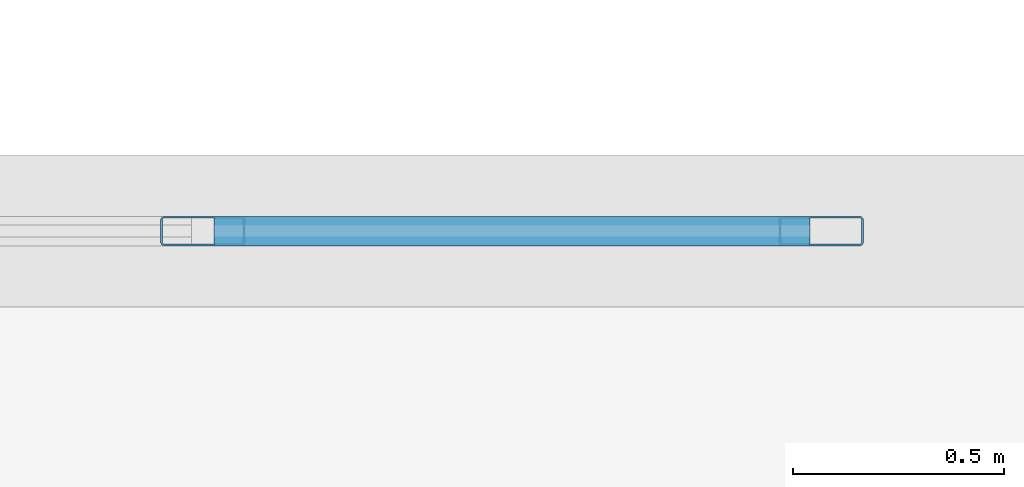
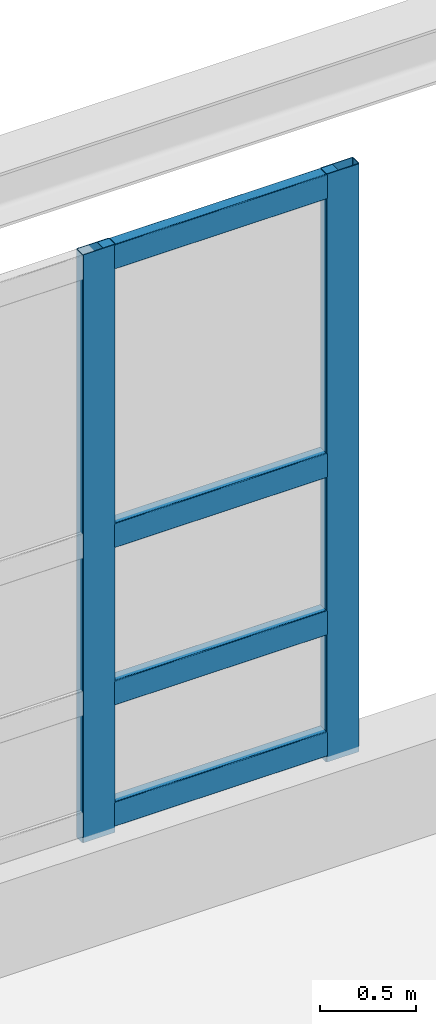
# One storey, part 85 of 197: 6 members, 1 element without a shape of its own.
"""IFC4 building model written with IfcOpenShell, lengths in metres."""

from ifc_helpers import new_model, si_unit, derived_unit, direction, frame, origin, origin_2d, place, context, subcontext, project, spatial, hollow_rectangle, extrude, material, layer, layer_set, material_profile, profile_set, type_object, element, aggregate, save


model = new_model("IFC4")

# Units and contexts
model_context = context("Model", 3, precision=1e-05, world=origin(), true_north=direction((0.0, 1.0)))
body_context = subcontext(model_context, "Body", "Model", "MODEL_VIEW")
ifc_project = project(units=[si_unit("LENGTHUNIT", "METRE"), si_unit("AREAUNIT", "SQUARE_METRE"), si_unit("VOLUMEUNIT", "CUBIC_METRE"), si_unit("PLANEANGLEUNIT", "RADIAN"), si_unit("MASSUNIT", "GRAM", prefix="KILO"), derived_unit("THERMALTRANSMITTANCEUNIT", [(si_unit("POWERUNIT", "WATT"), 1), (si_unit("LENGTHUNIT", "METRE"), -2), (si_unit("THERMODYNAMICTEMPERATUREUNIT", "KELVIN"), -1)])], contexts=[model_context])

# Site, building, storey
site_placement = place(None, origin())
site = spatial("IfcSite", under=ifc_project, at=site_placement, CompositionType="ELEMENT")
building_placement = place(site_placement, origin())
building = spatial("IfcBuilding", under=site, at=building_placement, Name="Almenara Railside Exhibition Hall", CompositionType="ELEMENT")
storey_placement = place(building_placement, frame((0.0, 0.0, 5.39990234375)))
storey = spatial("IfcBuildingStorey", under=building, at=storey_placement, Name="L01", CompositionType="ELEMENT", Elevation=5.39990234375)

# Curtain wall, members
ifc_material_1 = material(Name="Bronze-anodised aluminium and low-E double glazing", Category="aluminium")
ifc_layer = layer(ifc_material_1, 0.179931640625, Name="Bronze-anodised aluminium and low-E double glazing")
ifc_layer_set = layer_set([ifc_layer], Name="Bronze-anodised aluminium and low-E double glazing")
curtain_wall_type = type_object("IfcCurtainWallType", Name="Courtyard North Galeria Curtain Wall 3000x3700", PredefinedType="NOTDEFINED", material=ifc_layer_set)
curtain_wall_placement = place(storey_placement, origin())
curtain_wall = element("IfcCurtainWall", 1, at=curtain_wall_placement, inside=storey, type_object=curtain_wall_type, Name="Curtain wall CW-CY1-131", PredefinedType="NOTDEFINED")
ifc_material_2 = material(Name="Bronze-anodised aluminium", Category="aluminium")
ifc_material_profile_1 = material_profile(ifc_material_2, hollow_rectangle(XDim=0.070068359375, YDim=0.199951171875, WallThickness=0.00439453125, InnerFilletRadius=0.00439453125, OuterFilletRadius=0.009033203125, at=origin_2d()), Name="ALU-MUL 70x200x4.5")
ifc_profile_set_1 = profile_set([ifc_material_profile_1], Name="Bronze-anodised aluminium")
member_type_1 = type_object("IfcMemberType", Name="Curtain Wall Mullion 70x200x4.5", PredefinedType="MULLION", material=ifc_profile_set_1)
member_1_placement = place(storey_placement, frame((92.800048828125, 108.0, 0.565185546875), z_axis=(0.0, 0.0, 1.0), x_axis=(0.0, 1.0, 0.0)))
member_1 = element("IfcMember", 2, at=member_1_placement, type_object=member_type_1, Name="CW-CY1-131 mullion 2", PredefinedType="MULLION", context=body_context, shape_type="SweptSolid", body=[
    extrude(hollow_rectangle(XDim=0.070068359375, YDim=0.199951171875, WallThickness=0.00439453125, InnerFilletRadius=0.00439453125, OuterFilletRadius=0.009033203125, at=origin_2d()), origin(), (0.0, 0.0, 1.0), 3.73486328125),
])
member_2_placement = place(storey_placement, frame((94.264892578125, 108.0, 0.565185546875), z_axis=(0.0, 0.0, 1.0), x_axis=(0.0, 1.0, 0.0)))
member_2 = element("IfcMember", 3, at=member_2_placement, type_object=member_type_1, Name="CW-CY1-131 mullion 3", PredefinedType="MULLION", context=body_context, shape_type="SweptSolid", body=[
    extrude(hollow_rectangle(XDim=0.070068359375, YDim=0.199951171875, WallThickness=0.00439453125, InnerFilletRadius=0.00439453125, OuterFilletRadius=0.009033203125, at=origin_2d()), origin(), (0.0, 0.0, 1.0), 3.73486328125),
])
ifc_material_profile_2 = material_profile(ifc_material_2, hollow_rectangle(XDim=0.070068359375, YDim=0.159912109375, WallThickness=0.00390625, InnerFilletRadius=0.00390625, OuterFilletRadius=0.008056640625, at=origin_2d()), Name="ALU-TRN 70x160x4")
ifc_profile_set_2 = profile_set([ifc_material_profile_2], Name="Bronze-anodised aluminium")
member_type_2 = type_object("IfcMemberType", Name="Curtain Wall Transom 70x160x4", PredefinedType="USERDEFINED", material=ifc_profile_set_2)
member_3_placement = place(storey_placement, frame((92.826904296875, 108.0, 0.68017578125), z_axis=(1.0, 0.0, 0.0), x_axis=(0.0, 1.0, 0.0)))
member_3 = element("IfcMember", 4, at=member_3_placement, type_object=member_type_2, Name="CW-CY1-131 transom 2.1", ObjectType="TRANSOM", PredefinedType="USERDEFINED", context=body_context, shape_type="SweptSolid", body=[
    extrude(hollow_rectangle(XDim=0.070068359375, YDim=0.159912109375, WallThickness=0.00390625, InnerFilletRadius=0.00390625, OuterFilletRadius=0.008056640625, at=origin_2d()), origin(), (0.0, 0.0, 1.0), 1.4111328125),
])
member_4_placement = place(storey_placement, frame((92.826904296875, 108.0, 1.4501953125), z_axis=(1.0, 0.0, 0.0), x_axis=(0.0, 1.0, 0.0)))
member_4 = element("IfcMember", 5, at=member_4_placement, type_object=member_type_2, Name="CW-CY1-131 transom 2.2", ObjectType="TRANSOM", PredefinedType="USERDEFINED", context=body_context, shape_type="SweptSolid", body=[
    extrude(hollow_rectangle(XDim=0.070068359375, YDim=0.159912109375, WallThickness=0.00390625, InnerFilletRadius=0.00390625, OuterFilletRadius=0.008056640625, at=origin_2d()), origin(), (0.0, 0.0, 1.0), 1.4111328125),
])
member_5_placement = place(storey_placement, frame((92.826904296875, 108.0, 2.4501953125), z_axis=(1.0, 0.0, 0.0), x_axis=(0.0, 1.0, 0.0)))
member_5 = element("IfcMember", 6, at=member_5_placement, type_object=member_type_2, Name="CW-CY1-131 transom 2.3", ObjectType="TRANSOM", PredefinedType="USERDEFINED", context=body_context, shape_type="SweptSolid", body=[
    extrude(hollow_rectangle(XDim=0.070068359375, YDim=0.159912109375, WallThickness=0.00390625, InnerFilletRadius=0.00390625, OuterFilletRadius=0.008056640625, at=origin_2d()), origin(), (0.0, 0.0, 1.0), 1.4111328125),
])
member_6_placement = place(storey_placement, frame((92.826904296875, 108.0, 4.22021484375), z_axis=(1.0, 0.0, 0.0), x_axis=(0.0, 1.0, 0.0)))
member_6 = element("IfcMember", 7, at=member_6_placement, type_object=member_type_2, Name="CW-CY1-131 transom 2.4", ObjectType="TRANSOM", PredefinedType="USERDEFINED", context=body_context, shape_type="SweptSolid", body=[
    extrude(hollow_rectangle(XDim=0.070068359375, YDim=0.159912109375, WallThickness=0.00390625, InnerFilletRadius=0.00390625, OuterFilletRadius=0.008056640625, at=origin_2d()), origin(), (0.0, 0.0, 1.0), 1.4111328125),
])
aggregate(curtain_wall, [member_1, member_2, member_3, member_4, member_5, member_6])

save(model, "model.ifc")
